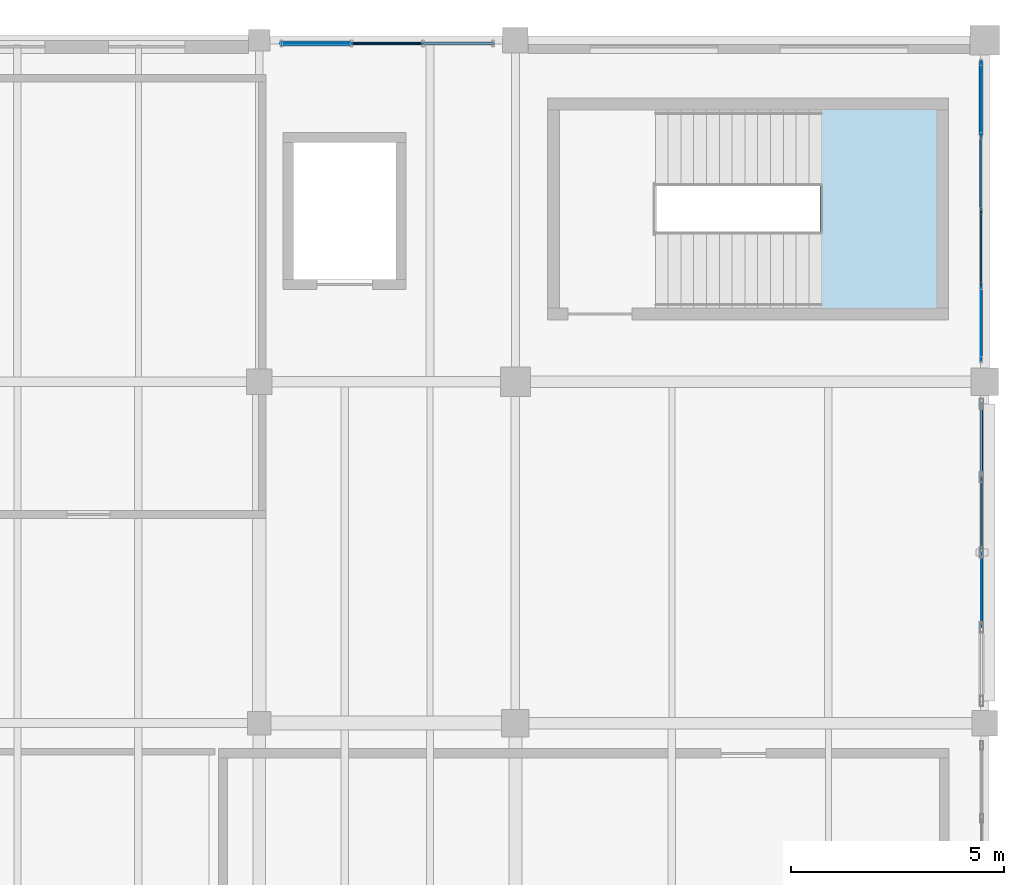
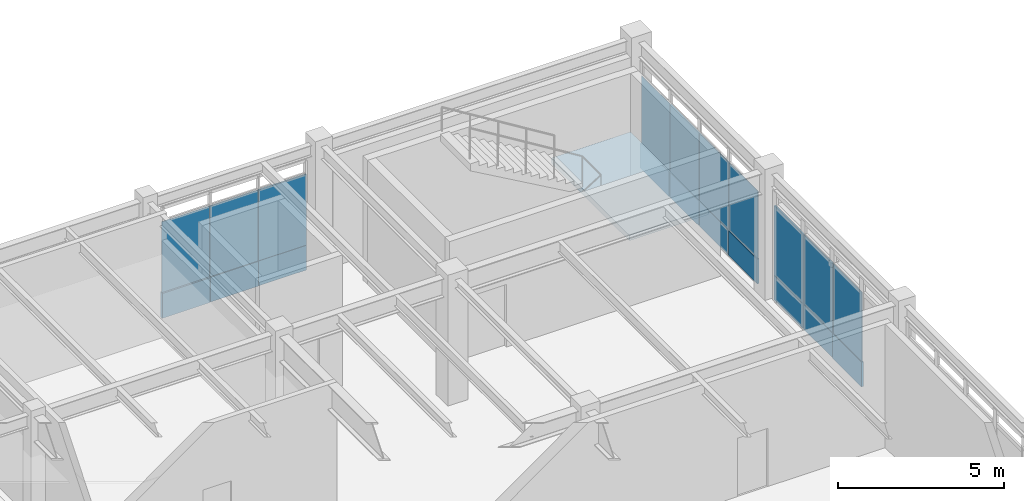
# One storey, part 167 of 200: 20 plates, 1 slab, 4 elements without a shape of their own.
"""IFC4 building model written with IfcOpenShell, lengths in metres."""

from ifc_helpers import new_model, si_unit, direction, frame, origin, origin_2d, place, context, subcontext, project, spatial, polyline, rectangle, outline, extrude, material, layer, layer_set, type_object, element, aggregate, save


model = new_model("IFC4")

# Units and contexts
model_context = context("Model", 3, precision=1e-05, world=origin(), true_north=direction((0.0, 1.0)))
body_context = subcontext(model_context, "Body", "Model", "MODEL_VIEW")
ifc_project = project(units=[si_unit("LENGTHUNIT", "METRE"), si_unit("AREAUNIT", "SQUARE_METRE"), si_unit("VOLUMEUNIT", "CUBIC_METRE"), si_unit("PLANEANGLEUNIT", "RADIAN"), si_unit("MASSUNIT", "GRAM", prefix="KILO"), si_unit("THERMODYNAMICTEMPERATUREUNIT", "KELVIN"), si_unit("POWERUNIT", "WATT")], contexts=[model_context])

# Site, building, storey
site_placement = place(None, origin())
site = spatial("IfcSite", under=ifc_project, at=site_placement, CompositionType="ELEMENT")
building_placement = place(site_placement, origin())
building = spatial("IfcBuilding", under=site, at=building_placement, Name="Tepalcoro Natatorium and Aquatics Centre", CompositionType="ELEMENT")
storey_placement = place(building_placement, frame((0.0, 0.0, 5.39990234375)))
storey = spatial("IfcBuildingStorey", under=building, at=storey_placement, Name="L01", CompositionType="ELEMENT", Elevation=5.39990234375)

# Curtain wall, plate
ifc_material_1 = material(Name="Bronze-Anodised Extruded Aluminium Alloy EN AW-6063 T6", Category="aluminium")
curtain_wall_type_1 = type_object("IfcCurtainWallType", Name="CW_V4_VILLAGE", PredefinedType="USERDEFINED", material=ifc_material_1)
curtain_wall_1_placement = place(storey_placement, origin())
curtain_wall_1 = element("IfcCurtainWall", 1, at=curtain_wall_1_placement, inside=storey, type_object=curtain_wall_type_1, Name="V5 L01 N Unitised Curtain Wall Bay 8", ObjectType="UNITISED STOREFRONT", PredefinedType="USERDEFINED")
ifc_material_2 = material(Name="Solar-Control Bronze Tempered Low-E Double Glazing", Category="glass")
ifc_layer_1 = layer(ifc_material_2, 0.048095703125)
ifc_layer_set_1 = layer_set([ifc_layer_1], Name="Solar-Control Bronze Tempered Low-E Double Glazing")
plate_type_1 = type_object("IfcPlateType", Name="PL_ACOUSTIC_IGU_48", PredefinedType="CURTAIN_PANEL", material=ifc_layer_set_1)
plate_1_placement = place(storey_placement, frame((163.679931640625, 117.923828125, 0.9599609375), z_axis=(0.0, 0.0, 1.0), x_axis=(1.0, 0.0, 0.0)))
plate_1 = element("IfcPlate", 2, at=plate_1_placement, type_object=plate_type_1, Name="CW_V4_VILLAGE Insulated Glazing Unit", PredefinedType="CURTAIN_PANEL", context=body_context, shape_type="SweptSolid", body=[
    extrude(rectangle(XDim=1.659912109375, YDim=0.048095703125, at=origin_2d()), origin(), (0.0, 0.0, 1.0), 2.596923828125),
])

curtain_wall_type_2 = type_object("IfcCurtainWallType", Name="CW_LEAN_T2_EW", PredefinedType="USERDEFINED", material=ifc_material_1)
curtain_wall_2_placement = place(storey_placement, origin())
curtain_wall_2 = element("IfcCurtainWall", 3, at=curtain_wall_2_placement, inside=storey, type_object=curtain_wall_type_2, Name="V5 L01 E Unitised Curtain Wall Bay 3", ObjectType="FACETED SOLAR GLAZING", PredefinedType="USERDEFINED")
plate_2_placement = place(storey_placement, frame((175.923828125, 108.639892578125, 0.9599609375), z_axis=(0.0, 0.0, 1.0), x_axis=(1.0, 0.0, 0.0)))
plate_2 = element("IfcPlate", 4, at=plate_2_placement, type_object=plate_type_1, Name="CW_LEAN_T2_EW Insulated Glazing Unit", PredefinedType="CURTAIN_PANEL", context=body_context, shape_type="SweptSolid", body=[
    extrude(rectangle(XDim=0.048095703125, YDim=1.739990234375, at=origin_2d()), origin(), (0.0, 0.0, 1.0), 2.550048828125),
])

curtain_wall_type_3 = type_object("IfcCurtainWallType", Name="CW_V1_PLINTH", PredefinedType="USERDEFINED", material=ifc_material_1)
curtain_wall_3_placement = place(storey_placement, origin())
curtain_wall_3 = element("IfcCurtainWall", 5, at=curtain_wall_3_placement, inside=storey, type_object=curtain_wall_type_3, Name="V5 L01 E Unitised Curtain Wall Bay 4", ObjectType="UNITISED STOREFRONT", PredefinedType="USERDEFINED")
plate_3_placement = place(storey_placement, frame((175.909912109375, 114.8798828125, 0.9599609375), z_axis=(0.0, 0.0, 1.0), x_axis=(1.0, 0.0, 0.0)))
plate_3 = element("IfcPlate", 6, at=plate_3_placement, type_object=plate_type_1, Name="CW_V1_PLINTH Insulated Glazing Unit", PredefinedType="CURTAIN_PANEL", context=body_context, shape_type="SweptSolid", body=[
    extrude(rectangle(XDim=0.048095703125, YDim=1.739990234375, at=origin_2d()), origin(), (0.0, 0.0, 1.0), 2.47412109375),
])

# Plate
ifc_layer_2 = layer(ifc_material_2, 0.028076171875)
ifc_layer_set_2 = layer_set([ifc_layer_2], Name="Solar-Control Bronze Tempered Low-E Double Glazing")
plate_type_2 = type_object("IfcPlateType", Name="PL_BRONZE_IGU_28", PredefinedType="CURTAIN_PANEL", material=ifc_layer_set_2)
plate_4_placement = place(storey_placement, frame((162.0, 117.923828125, 0.9599609375), z_axis=(0.0, 0.0, 1.0), x_axis=(1.0, 0.0, 0.0)))
plate_4 = element("IfcPlate", 7, at=plate_4_placement, type_object=plate_type_2, Name="CW_V4_VILLAGE Insulated Glazing Unit", PredefinedType="CURTAIN_PANEL", context=body_context, shape_type="SweptSolid", body=[
    extrude(rectangle(XDim=1.659912109375, YDim=0.028076171875, at=origin_2d()), origin(), (0.0, 0.0, 1.0), 2.596923828125),
])

plate_5_placement = place(storey_placement, frame((175.923828125, 106.8798828125, 0.9599609375), z_axis=(0.0, 0.0, 1.0), x_axis=(1.0, 0.0, 0.0)))
plate_5 = element("IfcPlate", 8, at=plate_5_placement, type_object=plate_type_2, Name="CW_LEAN_T2_EW Insulated Glazing Unit", PredefinedType="CURTAIN_PANEL", context=body_context, shape_type="SweptSolid", body=[
    extrude(rectangle(XDim=0.028076171875, YDim=1.739990234375, at=origin_2d()), origin(), (0.0, 0.0, 1.0), 2.550048828125),
])

plate_6_placement = place(storey_placement, frame((175.909912109375, 113.1201171875, 0.9599609375), z_axis=(0.0, 0.0, 1.0), x_axis=(1.0, 0.0, 0.0)))
plate_6 = element("IfcPlate", 9, at=plate_6_placement, type_object=plate_type_2, Name="CW_V1_PLINTH Insulated Glazing Unit", PredefinedType="CURTAIN_PANEL", context=body_context, shape_type="SweptSolid", body=[
    extrude(rectangle(XDim=0.028076171875, YDim=1.739990234375, at=origin_2d()), origin(), (0.0, 0.0, 1.0), 2.47412109375),
])

ifc_material_3 = material(Name="Jalisco Cantera Rosa Volcanic Tuff Ashlar Masonry", Category="masonry")
ifc_layer_3 = layer(ifc_material_3, 0.090087890625)
ifc_layer_set_3 = layer_set([ifc_layer_3], Name="Jalisco Cantera Rosa Volcanic Tuff Ashlar Masonry")
plate_type_3 = type_object("IfcPlateType", Name="PL_CANTERA_90", PredefinedType="SHEET", material=ifc_layer_set_3)
plate_7_placement = place(storey_placement, frame((175.909912109375, 116.639892578125, 0.044921875), z_axis=(0.0, 0.0, 1.0), x_axis=(1.0, 0.0, 0.0)))
plate_7 = element("IfcPlate", 10, at=plate_7_placement, type_object=plate_type_3, Name="CW_V1_PLINTH Spandrel & Screen Panel", PredefinedType="SHEET", context=body_context, shape_type="SweptSolid", body=[
    extrude(rectangle(XDim=0.090087890625, YDim=1.739990234375, at=origin_2d()), origin(), (0.0, 0.0, 1.0), 0.909912109375),
])

ifc_material_4 = material(Name="Clear Tempered Low-E Safety Glazing", Category="glass")
ifc_layer_4 = layer(ifc_material_4, 0.011962890625)
ifc_layer_set_4 = layer_set([ifc_layer_4], Name="Clear Tempered Low-E Safety Glazing")
plate_type_4 = type_object("IfcPlateType", Name="PL_GLASS_12", PredefinedType="CURTAIN_PANEL", material=ifc_layer_set_4)
plate_8_placement = place(storey_placement, frame((160.320068359375, 117.923828125, 0.9599609375), z_axis=(0.0, 0.0, 1.0), x_axis=(1.0, 0.0, 0.0)))
plate_8 = element("IfcPlate", 11, at=plate_8_placement, type_object=plate_type_4, Name="CW_V4_VILLAGE Insulated Glazing Unit", PredefinedType="CURTAIN_PANEL", context=body_context, shape_type="SweptSolid", body=[
    extrude(rectangle(XDim=1.659912109375, YDim=0.011962890625, at=origin_2d()), origin(), (0.0, 0.0, 1.0), 2.596923828125),
])

plate_9_placement = place(storey_placement, frame((175.923828125, 105.1201171875, 0.9599609375), z_axis=(0.0, 0.0, 1.0), x_axis=(1.0, 0.0, 0.0)))
plate_9 = element("IfcPlate", 12, at=plate_9_placement, type_object=plate_type_4, Name="CW_LEAN_T2_EW Insulated Glazing Unit", PredefinedType="CURTAIN_PANEL", context=body_context, shape_type="SweptSolid", body=[
    extrude(rectangle(XDim=0.011962890625, YDim=1.739990234375, at=origin_2d()), origin(), (0.0, 0.0, 1.0), 2.550048828125),
])

plate_10_placement = place(storey_placement, frame((175.909912109375, 111.360107421875, 0.9599609375), z_axis=(0.0, 0.0, 1.0), x_axis=(1.0, 0.0, 0.0)))
plate_10 = element("IfcPlate", 13, at=plate_10_placement, type_object=plate_type_4, Name="CW_V1_PLINTH Insulated Glazing Unit", PredefinedType="CURTAIN_PANEL", context=body_context, shape_type="SweptSolid", body=[
    extrude(rectangle(XDim=0.011962890625, YDim=1.739990234375, at=origin_2d()), origin(), (0.0, 0.0, 1.0), 2.47412109375),
])

plate_11_placement = place(storey_placement, frame((175.909912109375, 116.639892578125, 0.9599609375), z_axis=(0.0, 0.0, 1.0), x_axis=(1.0, 0.0, 0.0)))
plate_11 = element("IfcPlate", 14, at=plate_11_placement, type_object=plate_type_4, Name="CW_V1_PLINTH Insulated Glazing Unit", PredefinedType="CURTAIN_PANEL", context=body_context, shape_type="SweptSolid", body=[
    extrude(rectangle(XDim=0.011962890625, YDim=1.739990234375, at=origin_2d()), origin(), (0.0, 0.0, 1.0), 2.47412109375),
])

ifc_material_5 = material(Name="Volcanic Recinto Basalt Ashlar Masonry", Category="masonry")
ifc_layer_5 = layer(ifc_material_5, 0.110107421875)
ifc_layer_set_5 = layer_set([ifc_layer_5], Name="Volcanic Recinto Basalt Ashlar Masonry")
plate_type_5 = type_object("IfcPlateType", Name="PL_RECINTO_110", PredefinedType="SHEET", material=ifc_layer_set_5)
plate_12_placement = place(storey_placement, frame((160.320068359375, 117.923828125, 0.044921875), z_axis=(0.0, 0.0, 1.0), x_axis=(1.0, 0.0, 0.0)))
plate_12 = element("IfcPlate", 15, at=plate_12_placement, type_object=plate_type_5, Name="CW_V4_VILLAGE Spandrel & Screen Panel", PredefinedType="SHEET", context=body_context, shape_type="SweptSolid", body=[
    extrude(rectangle(XDim=1.659912109375, YDim=0.110107421875, at=origin_2d()), origin(), (0.0, 0.0, 1.0), 0.909912109375),
])

ifc_layer_6 = layer(ifc_material_1, 0.050048828125)
ifc_layer_set_6 = layer_set([ifc_layer_6], Name="Bronze-Anodised Extruded Aluminium Alloy EN AW-6063 T6")
plate_type_6 = type_object("IfcPlateType", Name="PL_SCREEN_50", PredefinedType="SHEET", material=ifc_layer_set_6)
plate_13_placement = place(storey_placement, frame((163.679931640625, 117.923828125, 0.044921875), z_axis=(0.0, 0.0, 1.0), x_axis=(1.0, 0.0, 0.0)))
plate_13 = element("IfcPlate", 16, at=plate_13_placement, type_object=plate_type_6, Name="CW_V4_VILLAGE Spandrel & Screen Panel", PredefinedType="SHEET", context=body_context, shape_type="SweptSolid", body=[
    extrude(rectangle(XDim=1.659912109375, YDim=0.050048828125, at=origin_2d()), origin(), (0.0, 0.0, 1.0), 0.909912109375),
])

plate_14_placement = place(storey_placement, frame((175.923828125, 106.8798828125, 0.044921875), z_axis=(0.0, 0.0, 1.0), x_axis=(1.0, 0.0, 0.0)))
plate_14 = element("IfcPlate", 17, at=plate_14_placement, type_object=plate_type_6, Name="CW_LEAN_T2_EW Spandrel & Screen Panel", PredefinedType="SHEET", context=body_context, shape_type="SweptSolid", body=[
    extrude(rectangle(XDim=0.050048828125, YDim=1.739990234375, at=origin_2d()), origin(), (0.0, 0.0, 1.0), 0.909912109375),
])

plate_15_placement = place(storey_placement, frame((175.909912109375, 113.1201171875, 0.044921875), z_axis=(0.0, 0.0, 1.0), x_axis=(1.0, 0.0, 0.0)))
plate_15 = element("IfcPlate", 18, at=plate_15_placement, type_object=plate_type_6, Name="CW_V1_PLINTH Spandrel & Screen Panel", PredefinedType="SHEET", context=body_context, shape_type="SweptSolid", body=[
    extrude(rectangle(XDim=0.050048828125, YDim=1.739990234375, at=origin_2d()), origin(), (0.0, 0.0, 1.0), 0.909912109375),
])

ifc_layer_7 = layer(ifc_material_1, 0.06005859375)
ifc_layer_set_7 = layer_set([ifc_layer_7], Name="Bronze-Anodised Extruded Aluminium Alloy EN AW-6063 T6")
plate_type_7 = type_object("IfcPlateType", Name="PL_SCREEN_60", PredefinedType="SHEET", material=ifc_layer_set_7)
plate_16_placement = place(storey_placement, frame((175.923828125, 108.639892578125, 0.044921875), z_axis=(0.0, 0.0, 1.0), x_axis=(1.0, 0.0, 0.0)))
plate_16 = element("IfcPlate", 19, at=plate_16_placement, type_object=plate_type_7, Name="CW_LEAN_T2_EW Spandrel & Screen Panel", PredefinedType="SHEET", context=body_context, shape_type="SweptSolid", body=[
    extrude(rectangle(XDim=0.06005859375, YDim=1.739990234375, at=origin_2d()), origin(), (0.0, 0.0, 1.0), 0.909912109375),
])

plate_17_placement = place(storey_placement, frame((175.909912109375, 114.8798828125, 0.044921875), z_axis=(0.0, 0.0, 1.0), x_axis=(1.0, 0.0, 0.0)))
plate_17 = element("IfcPlate", 20, at=plate_17_placement, type_object=plate_type_7, Name="CW_V1_PLINTH Spandrel & Screen Panel", PredefinedType="SHEET", context=body_context, shape_type="SweptSolid", body=[
    extrude(rectangle(XDim=0.06005859375, YDim=1.739990234375, at=origin_2d()), origin(), (0.0, 0.0, 1.0), 0.909912109375),
])

ifc_material_6 = material(Name="Insulated Bronze Anodised Aluminium Spandrel Panel", Category="aluminium")
ifc_layer_8 = layer(ifc_material_6, 0.070068359375)
ifc_layer_set_8 = layer_set([ifc_layer_8], Name="Insulated Bronze Anodised Aluminium Spandrel Panel")
plate_type_8 = type_object("IfcPlateType", Name="PL_SPANDREL_70", PredefinedType="CURTAIN_PANEL", material=ifc_layer_set_8)
plate_18_placement = place(storey_placement, frame((162.0, 117.923828125, 0.044921875), z_axis=(0.0, 0.0, 1.0), x_axis=(1.0, 0.0, 0.0)))
plate_18 = element("IfcPlate", 21, at=plate_18_placement, type_object=plate_type_8, Name="CW_V4_VILLAGE Spandrel & Screen Panel", PredefinedType="CURTAIN_PANEL", context=body_context, shape_type="SweptSolid", body=[
    extrude(rectangle(XDim=1.659912109375, YDim=0.070068359375, at=origin_2d()), origin(), (0.0, 0.0, 1.0), 0.909912109375),
])

aggregate(curtain_wall_1, [plate_8, plate_12, plate_4, plate_18, plate_1, plate_13])

plate_19_placement = place(storey_placement, frame((175.923828125, 105.1201171875, 0.044921875), z_axis=(0.0, 0.0, 1.0), x_axis=(1.0, 0.0, 0.0)))
plate_19 = element("IfcPlate", 22, at=plate_19_placement, type_object=plate_type_8, Name="CW_LEAN_T2_EW Spandrel & Screen Panel", PredefinedType="CURTAIN_PANEL", context=body_context, shape_type="SweptSolid", body=[
    extrude(rectangle(XDim=0.070068359375, YDim=1.739990234375, at=origin_2d()), origin(), (0.0, 0.0, 1.0), 0.909912109375),
])

aggregate(curtain_wall_2, [plate_9, plate_19, plate_5, plate_14, plate_2, plate_16])

plate_20_placement = place(storey_placement, frame((175.909912109375, 111.360107421875, 0.044921875), z_axis=(0.0, 0.0, 1.0), x_axis=(1.0, 0.0, 0.0)))
plate_20 = element("IfcPlate", 23, at=plate_20_placement, type_object=plate_type_8, Name="CW_V1_PLINTH Spandrel & Screen Panel", PredefinedType="CURTAIN_PANEL", context=body_context, shape_type="SweptSolid", body=[
    extrude(rectangle(XDim=0.070068359375, YDim=1.739990234375, at=origin_2d()), origin(), (0.0, 0.0, 1.0), 0.909912109375),
])

aggregate(curtain_wall_3, [plate_10, plate_20, plate_6, plate_15, plate_3, plate_17, plate_11, plate_7])

# Stair, slab
ifc_material_7 = material(Name="Concrete C35/45 (fc 35 MPa)", Category="concrete")
stair_type = type_object("IfcStairType", Name="ST_RC_1800_B1", PredefinedType="HALF_TURN_STAIR", material=ifc_material_7)
stair_placement = place(storey_placement, origin())
stair = element("IfcStair", 24, at=stair_placement, inside=storey, type_object=stair_type, Name="Wellness & Broadcast East Fire Stair (L01 to L02)", PredefinedType="HALF_TURN_STAIR")
ifc_layer_9 = layer(ifc_material_7, 0.199951171875)
ifc_layer_set_9 = layer_set([ifc_layer_9], Name="Concrete C35/45 (fc 35 MPa)")
slab_type = type_object("IfcSlabType", Name="SL_LANDING_200", PredefinedType="LANDING", material=ifc_layer_set_9)
slab_placement = place(storey_placement, frame((0.0, 0.0, 2.2001953125)))
slab = element("IfcSlab", 25, at=slab_placement, type_object=slab_type, Name="Wellness & Broadcast East Fire Stair (L01 to L02) Half-Landing", PredefinedType="LANDING", context=body_context, shape_type="SweptSolid", body=[
    extrude(outline(polyline([(172.139892578125, 111.7099609375), (174.889892578125, 111.7099609375), (174.889892578125, 116.389892578125), (172.139892578125, 116.389892578125), (172.139892578125, 111.7099609375)])), origin(), (0.0, 0.0, 1.0), 0.199951171875),
])
aggregate(stair, [slab])

save(model, "model.ifc")
